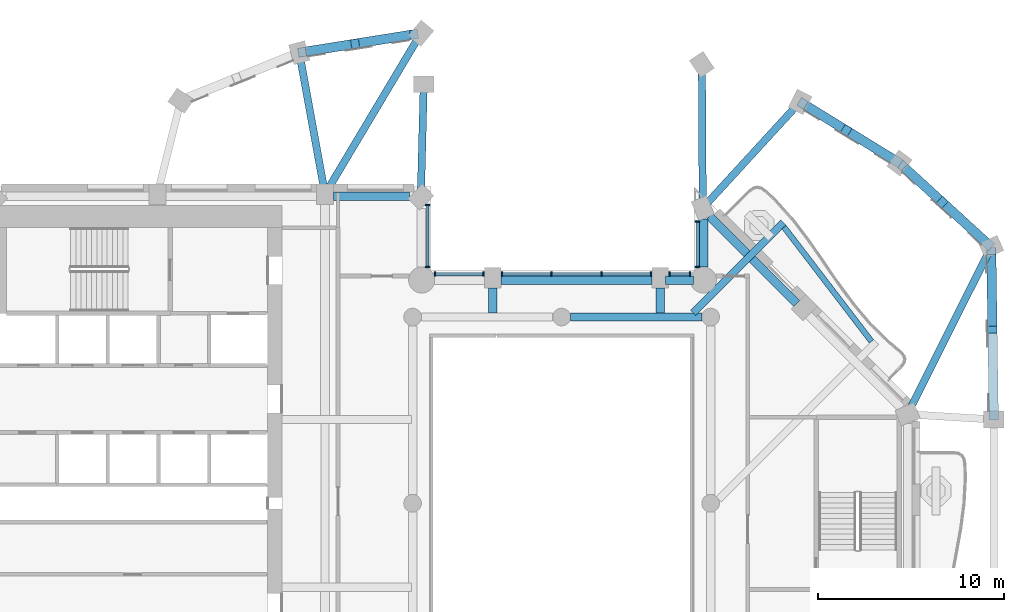
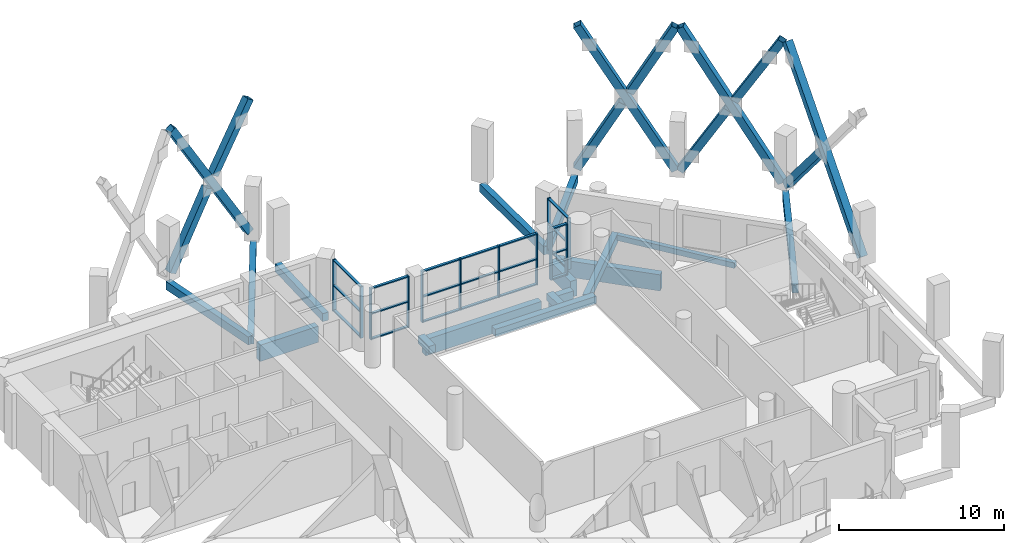
# One storey, part 2 of 16: 44 members, 16 beams, 5 elements without a shape of their own.
"""IFC4 building model written with IfcOpenShell, lengths in metres."""

import ifcopenshell
import ifcopenshell.guid

model = None  # the IFC model being written
_history = None  # IfcOwnerHistory: only IFC2X3 demands one
_inside = {}  # id of a spatial element -> (the spatial element, [elements in it])
_under = {}  # id of a project, library or spatial element -> (it, [spatial elements below it])
_declared = {}  # id of a project -> (the project, [libraries it declares])
_typed = {}  # id of a type object -> (the type object, [elements of that type])
_made_of = {}  # id of a material, layer set ... -> (it, [elements and type objects made of it])


def new_model(schema):
    """Start an empty IFC model of exactly this schema.

    Asked for "IFC4X3", IfcOpenShell would pick the latest addendum, in which some entities
    have other attributes; the version numbers below select the first issue.
    IFC2X3 requires an IfcOwnerHistory on every rooted entity: one is made here for all.
    """
    global model, _history
    if schema == "IFC4X3":
        model = ifcopenshell.file(schema_version=(4, 3, 0, 0))
    else:
        model = ifcopenshell.file(schema=schema)
    _inside.clear()
    _under.clear()
    _declared.clear()
    _typed.clear()
    _made_of.clear()
    _history = None
    if model.schema == "IFC2X3":
        org = make("IfcOrganization", Name="unknown")
        user = make(
            "IfcPersonAndOrganization",
            ThePerson=make("IfcPerson", FamilyName="unknown"),
            TheOrganization=org,
        )
        app = make(
            "IfcApplication",
            ApplicationDeveloper=org,
            Version="unknown",
            ApplicationFullName="unknown",
            ApplicationIdentifier="unknown",
        )
        _history = make(
            "IfcOwnerHistory",
            OwningUser=user,
            OwningApplication=app,
            ChangeAction="ADDED",
            CreationDate=0,
        )
    return model


def make(cls, **values):
    """One entity of the class cls with the attributes given. An attribute that is None is left unset."""
    return model.create_entity(
        cls, **{name: value for name, value in values.items() if value is not None}
    )


def rooted(cls, **values):
    """An entity with a GlobalId (a new one), such as an element, a storey or a relation."""
    return make(cls, GlobalId=ifcopenshell.guid.new(), OwnerHistory=_history, **values)


def si_unit(unit_type, name, prefix=None):
    """IfcSIUnit, for example si_unit("LENGTHUNIT", "METRE", prefix="MILLI")."""
    return make("IfcSIUnit", UnitType=unit_type, Prefix=prefix, Name=name)


def assignment(units):
    """IfcUnitAssignment: the units of a project."""
    return None if units is None else make("IfcUnitAssignment", Units=units)


def point(xyz):
    """IfcCartesianPoint."""
    return None if xyz is None else make("IfcCartesianPoint", Coordinates=xyz)


def direction(xyz):
    """IfcDirection."""
    return None if xyz is None else make("IfcDirection", DirectionRatios=xyz)


def frame(location, z_axis=None, x_axis=None):
    """IfcAxis2Placement3D, a coordinate frame: its origin and axes. An axis left out is left unset."""
    return make(
        "IfcAxis2Placement3D",
        Location=point(location),
        Axis=direction(z_axis),
        RefDirection=direction(x_axis),
    )


def frame_2d(location, x_axis=None):
    """IfcAxis2Placement2D, a coordinate frame in the plane: its origin and x axis."""
    return make(
        "IfcAxis2Placement2D", Location=point(location), RefDirection=direction(x_axis)
    )


def origin():
    """The frame at (0, 0, 0) with its axes left unset."""
    return frame((0.0, 0.0, 0.0))


def origin_2d():
    """The frame at (0, 0) in the plane with its x axis left unset."""
    return frame_2d((0.0, 0.0))


def place(relative_to, where):
    """IfcLocalPlacement: puts the frame where relative to a parent placement (None: the world)."""
    return make(
        "IfcLocalPlacement", PlacementRelTo=relative_to, RelativePlacement=where
    )


def context(
    kind, dimensions, precision=None, world=None, true_north=None, identifier=None
):
    """IfcGeometricRepresentationContext, for example the 3D "Model" context."""
    return make(
        "IfcGeometricRepresentationContext",
        ContextIdentifier=identifier,
        ContextType=kind,
        CoordinateSpaceDimension=dimensions,
        Precision=precision,
        WorldCoordinateSystem=world,
        TrueNorth=true_north,
    )


def subcontext(parent, identifier, kind, view, scale=None):
    """IfcGeometricRepresentationSubContext, for example "Body" below "Model"."""
    return make(
        "IfcGeometricRepresentationSubContext",
        ContextIdentifier=identifier,
        ContextType=kind,
        ParentContext=parent,
        TargetScale=scale,
        TargetView=view,
    )


def project(units=None, contexts=None):
    """IfcProject with its units and contexts."""
    return rooted(
        "IfcProject",
        Name="project",
        RepresentationContexts=contexts,
        UnitsInContext=assignment(units),
    )


def spatial(cls, under=None, at=None, **own):
    """A site, building, storey or space (cls), placed at a placement, below another one or the project."""
    s = rooted(cls, ObjectPlacement=at, **own)
    if under is not None:
        _under.setdefault(under.id(), (under, []))[1].append(s)
    return s


def profile(cls, at=None, kind="AREA", **sizes):
    """A parametric profile (cls). Its sizes go by their IFC names, for example OverallWidth=200.0."""
    return make(cls, ProfileType=kind, Position=at, **sizes)


def rectangle(**sizes):
    """IfcRectangleProfileDef."""
    return profile("IfcRectangleProfileDef", **sizes)


def hollow_rectangle(**sizes):
    """IfcRectangleHollowProfileDef."""
    return profile("IfcRectangleHollowProfileDef", **sizes)


def extrude(swept, where, along, depth):
    """IfcExtrudedAreaSolid: the profile swept, set in the frame where, extruded along a direction by depth."""
    return make(
        "IfcExtrudedAreaSolid",
        SweptArea=swept,
        Position=where,
        ExtrudedDirection=direction(along),
        Depth=depth,
    )


def shape(context_of_items, identifier, shape_type, items):
    """IfcShapeRepresentation: the items that make up one representation, for example the "Body"."""
    return make(
        "IfcShapeRepresentation",
        ContextOfItems=context_of_items,
        RepresentationIdentifier=identifier,
        RepresentationType=shape_type,
        Items=items,
    )


def material(Name=None, Category=None):
    """IfcMaterial."""
    return make("IfcMaterial", Name=Name, Category=Category)


def material_profile(
    of_material, cross_section, Name=None, Category=None, Priority=None
):
    """IfcMaterialProfile: a cross section and its material."""
    return make(
        "IfcMaterialProfile",
        Name=Name,
        Material=of_material,
        Profile=cross_section,
        Priority=Priority,
        Category=Category,
    )


def profile_set(profiles, Name=None, composite=None):
    """IfcMaterialProfileSet."""
    return make(
        "IfcMaterialProfileSet",
        Name=Name,
        MaterialProfiles=profiles,
        CompositeProfile=composite,
    )


def made_of(thing, what):
    """Note that an element or type object is made of a material, layer set ...; save() writes the relation."""
    if what is not None:
        _made_of.setdefault(what.id(), (what, []))[1].append(thing)
    return thing


def type_object(cls, material=None, **own):
    """A type object (cls), such as IfcWallType, which elements share."""
    return made_of(rooted(cls, **own), material)


def element(
    cls,
    number,
    at=None,
    inside=None,
    cuts=None,
    type_object=None,
    material=None,
    context=None,
    identifier="Body",
    shape_type=None,
    held_by="IfcProductDefinitionShape",
    body=None,
    shapes=None,
    **own,
):
    """One element of the class cls, such as IfcWall. Its Tag is "e" and its number.

    at: its placement. inside: the storey or other place that contains it. cuts: it is an
    opening in that element (IfcRelVoidsElement). A single representation is given by context,
    identifier, shape_type and body (its items); several are given by shapes. held_by: the class
    of the entity that holds the representations. save() writes the other relations.
    """
    e = rooted(cls, Tag="e%d" % number, ObjectPlacement=at, **own)
    if body is not None:
        shapes = [shape(context, identifier, shape_type, body)]
    if shapes is not None:
        e.Representation = make(held_by, Representations=shapes)
    if inside is not None:
        _inside.setdefault(inside.id(), (inside, []))[1].append(e)
    if cuts is not None:
        rooted(
            "IfcRelVoidsElement", RelatingBuildingElement=cuts, RelatedOpeningElement=e
        )
    if type_object is not None:
        _typed.setdefault(type_object.id(), (type_object, []))[1].append(e)
    return made_of(e, material)


def aggregate(whole, parts):
    """IfcRelAggregates: a whole, such as a stair, and the parts it consists of."""
    return rooted("IfcRelAggregates", RelatingObject=whole, RelatedObjects=parts)


def save(model, path):
    """Write the relations noted so far, then the file.

    IfcRelAggregates (storeys below a building ...), IfcRelContainedInSpatialStructure (elements
    in a storey), IfcRelDefinesByType, IfcRelAssociatesMaterial and IfcRelDeclares: one each for
    every whole, place, type object, material and project.
    """
    for whole, parts in _under.values():
        aggregate(whole, parts)
    for where, things in _inside.values():
        rooted(
            "IfcRelContainedInSpatialStructure",
            RelatedElements=things,
            RelatingStructure=where,
        )
    for kind, things in _typed.values():
        rooted("IfcRelDefinesByType", RelatedObjects=things, RelatingType=kind)
    for what, things in _made_of.values():
        rooted("IfcRelAssociatesMaterial", RelatedObjects=things, RelatingMaterial=what)
    for by, libraries in _declared.values():
        rooted("IfcRelDeclares", RelatingContext=by, RelatedDefinitions=libraries)
    model.write(path)


model = new_model("IFC4")

# Units and contexts
model_context = context("Model", 3, precision=1e-05, world=origin(), true_north=direction((0.0, 1.0)))
body_context = subcontext(model_context, "Body", "Model", "MODEL_VIEW")
ifc_project = project(units=[si_unit("LENGTHUNIT", "METRE"), si_unit("AREAUNIT", "SQUARE_METRE"), si_unit("VOLUMEUNIT", "CUBIC_METRE"), si_unit("PLANEANGLEUNIT", "RADIAN"), si_unit("MASSUNIT", "GRAM", prefix="KILO")], contexts=[model_context])

# Site, building, storey
site_placement = place(None, origin())
site = spatial("IfcSite", under=ifc_project, at=site_placement, CompositionType="ELEMENT")
building_placement = place(site_placement, origin())
building = spatial("IfcBuilding", under=site, at=building_placement, Name="Cypress Arch Tower", CompositionType="ELEMENT")
storey_placement = place(building_placement, frame((0.0, 0.0, 181.0)))
storey = spatial("IfcBuildingStorey", under=building, at=storey_placement, Name="L39", CompositionType="ELEMENT", Elevation=181.0)

# Beams
ifc_material_1 = material(Name="Concrete C50/60", Category="concrete")
ifc_material_profile_1 = material_profile(ifc_material_1, rectangle(XDim=0.300048828125, YDim=0.39990234375, at=origin_2d()), Name="RC 300x400")
ifc_profile_set_1 = profile_set([ifc_material_profile_1], Name="Concrete C50/60")
beam_type_1 = type_object("IfcBeamType", Name="Balcony edge beam RC 300x400 Concrete C50/60", PredefinedType="BEAM", material=ifc_profile_set_1)
beam_1_placement = place(storey_placement, frame((17.63525390625, 8.69384765625, -0.5), z_axis=(-0.607800647445, 0.794089650459, 0.0), x_axis=(-0.794089650459, -0.607800647445, 0.0)))
element("IfcBeam", 1, at=beam_1_placement, inside=storey, type_object=beam_type_1, Name="Balcony edge beam L39 B05", PredefinedType="BEAM", context=body_context, shape_type="SweptSolid", body=[
    extrude(rectangle(XDim=0.300048828125, YDim=0.39990234375, at=origin_2d()), origin(), (0.0, 0.0, 1.0), 7.728271484375),
])
ifc_material_2 = material(Name="Concrete C50/60", Category="concrete")
ifc_material_profile_2 = material_profile(ifc_material_2, rectangle(XDim=0.39990234375, YDim=0.64990234375, at=origin_2d()), Name="RC 400x650")
ifc_profile_set_2 = profile_set([ifc_material_profile_2], Name="Concrete C50/60")
beam_type_2 = type_object("IfcBeamType", Name="Cantilever beam RC 400x650 Concrete C50/60", PredefinedType="BEAM", material=ifc_profile_set_2)
beam_2_placement = place(storey_placement, frame((8.04931640625, 10.22509765625, -0.625), z_axis=(0.707106781187, 0.707106781187, 0.0), x_axis=(-0.707106781187, 0.707106781187, 0.0)))
element("IfcBeam", 2, at=beam_2_placement, inside=storey, type_object=beam_type_2, Name="Cantilever beam L39 B05 2", PredefinedType="BEAM", context=body_context, shape_type="SweptSolid", body=[
    extrude(rectangle(XDim=0.39990234375, YDim=0.64990234375, at=origin_2d()), origin(), (0.0, 0.0, 1.0), 6.863525390625),
])

# Members
ifc_material_3 = material(Name="Steel ASTM A500 Grade C", Category="steel")
ifc_material_profile_3 = material_profile(ifc_material_3, hollow_rectangle(XDim=0.508056640625, YDim=0.508056640625, WallThickness=0.017578125, at=origin_2d()), Name="HSS 20x20x3/4")
ifc_profile_set_3 = profile_set([ifc_material_profile_3], Name="Steel ASTM A500 Grade C")
member_type_1 = type_object("IfcMemberType", Name="Exoskeleton brace HSS 20x20x3/4 Steel ASTM A500 Grade C", PredefinedType="BRACE", material=ifc_profile_set_3)
member_1_placement = place(storey_placement, frame((-6.93212890625, 25.17529296875, 0.652099609375), z_axis=(-0.505575731303, -0.080729094462, 0.858997085691), x_axis=(0.157680025713, -0.987490257922, 0.0)))
element("IfcMember", 3, at=member_1_placement, inside=storey, type_object=member_type_1, Name="Exoskeleton brace L39 CQ02-CQ03a", PredefinedType="BRACE", context=body_context, shape_type="SweptSolid", body=[
    extrude(hollow_rectangle(XDim=0.508056640625, YDim=0.508056640625, WallThickness=0.017578125, at=origin_2d()), origin(), (0.0, 0.0, 1.0), 11.86083984375),
])
member_2_placement = place(storey_placement, frame((-6.93212890625, 25.17529296875, 10.44775390625), z_axis=(-0.520299010999, -0.083107850994, -0.849930599671), x_axis=(0.157731437326, -0.987482047269, 0.0)))
element("IfcMember", 4, at=member_2_placement, inside=storey, type_object=member_type_1, Name="Exoskeleton brace L39 CQ02-CQ03b1", PredefinedType="BRACE", context=body_context, shape_type="SweptSolid", body=[
    extrude(hollow_rectangle(XDim=0.508056640625, YDim=0.508056640625, WallThickness=0.017578125, at=origin_2d()), origin(), (0.0, 0.0, 1.0), 5.23193359375),
])
member_3_placement = place(storey_placement, frame((-12.9287109375, 24.2177734375, 0.259521484375), z_axis=(0.491532190594, 0.078459347949, 0.867317840431), x_axis=(-0.157626526516, 0.987498799057, 0.0)))
element("IfcMember", 5, at=member_3_placement, inside=storey, type_object=member_type_1, Name="Exoskeleton brace L39 CQ02-CQ03b2", PredefinedType="BRACE", context=body_context, shape_type="SweptSolid", body=[
    extrude(hollow_rectangle(XDim=0.508056640625, YDim=0.508056640625, WallThickness=0.017578125, at=origin_2d()), origin(), (0.0, 0.0, 1.0), 5.781494140625),
])
member_4_placement = place(storey_placement, frame((24.197509765625, 4.675048828125, 0.209716796875), z_axis=(-0.009415341776, 0.640525348392, 0.767879306536), x_axis=(-0.999891981245, -0.014697817606, 0.0)))
element("IfcMember", 6, at=member_4_placement, inside=storey, type_object=member_type_1, Name="Exoskeleton brace L39 CQ14-CQ15a", PredefinedType="BRACE", context=body_context, shape_type="SweptSolid", body=[
    extrude(hollow_rectangle(XDim=0.508056640625, YDim=0.508056640625, WallThickness=0.017578125, at=origin_2d()), origin(), (0.0, 0.0, 1.0), 13.8466796875),
])
member_5_placement = place(storey_placement, frame((24.067138671875, 13.544189453125, 0.2578125), z_axis=(0.009415695854, -0.64223201051, 0.766452470378), x_axis=(0.999892546406, 0.014659319295, 0.0)))
element("IfcMember", 7, at=member_5_placement, inside=storey, type_object=member_type_1, Name="Exoskeleton brace L39 CQ14-CQ15b2", PredefinedType="BRACE", context=body_context, shape_type="SweptSolid", body=[
    extrude(hollow_rectangle(XDim=0.508056640625, YDim=0.508056640625, WallThickness=0.017578125, at=origin_2d()), origin(), (0.0, 0.0, 1.0), 6.5859375),
])
member_6_placement = place(storey_placement, frame((23.921875, 13.88916015625, 0.31982421875), z_axis=(-0.38024185119, 0.348034813706, 0.856906005961), x_axis=(-0.675176044465, -0.737656633523, 0.0)))
element("IfcMember", 8, at=member_6_placement, inside=storey, type_object=member_type_1, Name="Exoskeleton brace L39 CQ15-CQ16a", PredefinedType="BRACE", context=body_context, shape_type="SweptSolid", body=[
    extrude(hollow_rectangle(XDim=0.508056640625, YDim=0.508056640625, WallThickness=0.017578125, at=origin_2d()), origin(), (0.0, 0.0, 1.0), 12.2802734375),
])
member_7_placement = place(storey_placement, frame((23.921875, 13.88916015625, 10.780029296875), z_axis=(-0.381923937811, 0.349569899146, -0.85553199317), x_axis=(-0.675171287783, -0.737660987279, 0.0)))
element("IfcMember", 9, at=member_7_placement, inside=storey, type_object=member_type_1, Name="Exoskeleton brace L39 CQ15-CQ16b1", PredefinedType="BRACE", context=body_context, shape_type="SweptSolid", body=[
    extrude(hollow_rectangle(XDim=0.508056640625, YDim=0.508056640625, WallThickness=0.017578125, at=origin_2d()), origin(), (0.0, 0.0, 1.0), 5.674560546875),
])
member_8_placement = place(storey_placement, frame((19.25244140625, 18.1630859375, 0.257080078125), z_axis=(0.37858469734, -0.346513455633, 0.858255237098), x_axis=(0.67517120176, 0.737661066014, 0.0)))
element("IfcMember", 10, at=member_8_placement, inside=storey, type_object=member_type_1, Name="Exoskeleton brace L39 CQ15-CQ16b2", PredefinedType="BRACE", context=body_context, shape_type="SweptSolid", body=[
    extrude(hollow_rectangle(XDim=0.508056640625, YDim=0.508056640625, WallThickness=0.017578125, at=origin_2d()), origin(), (0.0, 0.0, 1.0), 5.7626953125),
])
member_9_placement = place(storey_placement, frame((19.010009765625, 18.346435546875, 0.266845703125), z_axis=(-0.418602629322, 0.257463858202, 0.870909984122), x_axis=(-0.523894090473, -0.851783412592, 0.0)))
element("IfcMember", 11, at=member_9_placement, inside=storey, type_object=member_type_1, Name="Exoskeleton brace L39 CQ16-CQ17a", PredefinedType="BRACE", context=body_context, shape_type="SweptSolid", body=[
    extrude(hollow_rectangle(XDim=0.508056640625, YDim=0.508056640625, WallThickness=0.017578125, at=origin_2d()), origin(), (0.0, 0.0, 1.0), 12.1328125),
])
member_10_placement = place(storey_placement, frame((19.010009765625, 18.346435546875, 10.833251953125), z_axis=(-0.418588062756, 0.257499032582, -0.870906586229), x_axis=(-0.523959244261, -0.851743335961, 0.0)))
element("IfcMember", 12, at=member_10_placement, inside=storey, type_object=member_type_1, Name="Exoskeleton brace L39 CQ16-CQ17b1", PredefinedType="BRACE", context=body_context, shape_type="SweptSolid", body=[
    extrude(hollow_rectangle(XDim=0.508056640625, YDim=0.508056640625, WallThickness=0.017578125, at=origin_2d()), origin(), (0.0, 0.0, 1.0), 5.61669921875),
])
member_11_placement = place(storey_placement, frame((13.93115234375, 21.47021484375, 0.2666015625), z_axis=(0.418612751014, -0.257444016639, 0.870910984536), x_axis=(0.523855606168, 0.851807081378, 0.0)))
element("IfcMember", 13, at=member_11_placement, inside=storey, type_object=member_type_1, Name="Exoskeleton brace L39 CQ16-CQ17b2", PredefinedType="BRACE", context=body_context, shape_type="SweptSolid", body=[
    extrude(hollow_rectangle(XDim=0.508056640625, YDim=0.508056640625, WallThickness=0.017578125, at=origin_2d()), origin(), (0.0, 0.0, 1.0), 5.616943359375),
])

# Beams
ifc_material_4 = material(Name="Concrete C50/60", Category="concrete")
ifc_material_profile_4 = material_profile(ifc_material_4, rectangle(XDim=0.449951171875, YDim=0.550048828125, at=origin_2d()), Name="RC 450x550")
ifc_profile_set_4 = profile_set([ifc_material_profile_4], Name="Concrete C50/60")
beam_type_3 = type_object("IfcBeamType", Name="Floor beam RC 450x550 Concrete C50/60", PredefinedType="BEAM", material=ifc_profile_set_4)
beam_3_placement = place(storey_placement, frame((1.47509765625, 10.0, -0.574951171875), z_axis=(1.0, 0.0, 0.0), x_axis=(0.0, 1.0, 0.0)))
element("IfcBeam", 14, at=beam_3_placement, inside=storey, type_object=beam_type_3, Name="Floor beam L39 RB008", PredefinedType="BEAM", context=body_context, shape_type="SweptSolid", body=[
    extrude(rectangle(XDim=0.449951171875, YDim=0.550048828125, at=origin_2d()), origin(), (0.0, 0.0, 1.0), 7.0498046875),
])
for number, where, z_axis, x_axis, name in (
    (15, (-2.699951171875, 10.22509765625, -0.574951171875), (0.0, 1.0, 0.0), (-1.0, 0.0, 0.0), "Floor beam L39 FB015"),
    (16, (6.300048828125, 10.22509765625, -0.574951171875), (0.0, 1.0, 0.0), (-1.0, 0.0, 0.0), "Floor beam L39 FB017"),
):
    element("IfcBeam", number, at=place(storey_placement, frame(where, z_axis=z_axis, x_axis=x_axis)), inside=storey, type_object=beam_type_3, Name=name, PredefinedType="BEAM", context=body_context, shape_type="SweptSolid", body=[
        extrude(rectangle(XDim=0.449951171875, YDim=0.550048828125, at=origin_2d()), origin(), (0.0, 0.0, 1.0), 1.324951171875),
    ])

# Curtain wall, members
ifc_material_5 = material(Name="Anodised aluminium, bronze finish, clear laminated double glazing", Category="aluminium")
curtain_wall_type = type_object("IfcCurtainWallType", Name="Curtain wall CW7 slot glazing", PredefinedType="NOTDEFINED", material=ifc_material_5)
curtain_wall_1_placement = place(storey_placement, origin())
curtain_wall_1 = element("IfcCurtainWall", 17, at=curtain_wall_1_placement, inside=storey, type_object=curtain_wall_type, Name="Curtain wall L39 slot B06.0", PredefinedType="NOTDEFINED")
ifc_material_6 = material(Name="Anodised aluminium, bronze finish", Category="aluminium")
ifc_material_profile_5 = material_profile(ifc_material_6, rectangle(XDim=0.239990234375, YDim=0.0849609375, at=origin_2d()), Name="Mullion 85x240")
ifc_profile_set_5 = profile_set([ifc_material_profile_5], Name="Anodised aluminium, bronze finish")
member_type_2 = type_object("IfcMemberType", Name="Mullion CW7 85x240", PredefinedType="MULLION", material=ifc_profile_set_5)
member_12_placement = place(storey_placement, frame((8.300048828125, 15.12744140625, 0.0), z_axis=(0.0, 0.0, 1.0), x_axis=(1.0, 0.0, 0.0)))
member_12 = element("IfcMember", 18, at=member_12_placement, type_object=member_type_2, Name="CW7 mullion 1", PredefinedType="MULLION", context=body_context, shape_type="SweptSolid", body=[
    extrude(rectangle(XDim=0.239990234375, YDim=0.0849609375, at=origin_2d()), origin(), (0.0, 0.0, 1.0), 3.800048828125),
])
member_13_placement = place(storey_placement, frame((8.300048828125, 12.697021484375, 0.0), z_axis=(0.0, 0.0, 1.0), x_axis=(1.0, 0.0, 0.0)))
member_13 = element("IfcMember", 19, at=member_13_placement, type_object=member_type_2, Name="CW7 mullion 2", PredefinedType="MULLION", context=body_context, shape_type="SweptSolid", body=[
    extrude(rectangle(XDim=0.239990234375, YDim=0.0849609375, at=origin_2d()), origin(), (0.0, 0.0, 1.0), 3.800048828125),
])

curtain_wall_2_placement = place(storey_placement, origin())
curtain_wall_2 = element("IfcCurtainWall", 20, at=curtain_wall_2_placement, inside=storey, type_object=curtain_wall_type, Name="Curtain wall L39 slot B07.0", PredefinedType="NOTDEFINED")
member_14_placement = place(storey_placement, frame((7.903076171875, 12.300048828125, 0.0), z_axis=(0.0, 0.0, 1.0), x_axis=(0.0, -1.0, 0.0)))
member_14 = element("IfcMember", 21, at=member_14_placement, type_object=member_type_2, Name="CW7 mullion 1", PredefinedType="MULLION", context=body_context, shape_type="SweptSolid", body=[
    extrude(rectangle(XDim=0.239990234375, YDim=0.0849609375, at=origin_2d()), origin(), (0.0, 0.0, 1.0), 3.800048828125),
])
member_15_placement = place(storey_placement, frame((6.79248046875, 12.300048828125, 0.0), z_axis=(0.0, 0.0, 1.0), x_axis=(0.0, -1.0, 0.0)))
member_15 = element("IfcMember", 22, at=member_15_placement, type_object=member_type_2, Name="CW7 mullion 2", PredefinedType="MULLION", context=body_context, shape_type="SweptSolid", body=[
    extrude(rectangle(XDim=0.239990234375, YDim=0.0849609375, at=origin_2d()), origin(), (0.0, 0.0, 1.0), 3.800048828125),
])

curtain_wall_3_placement = place(storey_placement, origin())
curtain_wall_3 = element("IfcCurtainWall", 23, at=curtain_wall_3_placement, inside=storey, type_object=curtain_wall_type, Name="Curtain wall L39 slot B07.1", PredefinedType="NOTDEFINED")
member_16_placement = place(storey_placement, frame((5.8076171875, 12.300048828125, 0.0), z_axis=(0.0, 0.0, 1.0), x_axis=(0.0, -1.0, 0.0)))
member_16 = element("IfcMember", 24, at=member_16_placement, type_object=member_type_2, Name="CW7 mullion 1", PredefinedType="MULLION", context=body_context, shape_type="SweptSolid", body=[
    extrude(rectangle(XDim=0.239990234375, YDim=0.0849609375, at=origin_2d()), origin(), (0.0, 0.0, 1.0), 3.800048828125),
])
member_17_placement = place(storey_placement, frame((3.14990234375, 12.300048828125, 0.0), z_axis=(0.0, 0.0, 1.0), x_axis=(0.0, -1.0, 0.0)))
member_17 = element("IfcMember", 25, at=member_17_placement, type_object=member_type_2, Name="CW7 mullion 2", PredefinedType="MULLION", context=body_context, shape_type="SweptSolid", body=[
    extrude(rectangle(XDim=0.239990234375, YDim=0.0849609375, at=origin_2d()), origin(), (0.0, 0.0, 1.0), 3.800048828125),
])
member_18_placement = place(storey_placement, frame((0.449951171875, 12.300048828125, 0.0), z_axis=(0.0, 0.0, 1.0), x_axis=(0.0, -1.0, 0.0)))
member_18 = element("IfcMember", 26, at=member_18_placement, type_object=member_type_2, Name="CW7 mullion 3", PredefinedType="MULLION", context=body_context, shape_type="SweptSolid", body=[
    extrude(rectangle(XDim=0.239990234375, YDim=0.0849609375, at=origin_2d()), origin(), (0.0, 0.0, 1.0), 3.800048828125),
])
member_19_placement = place(storey_placement, frame((-2.20751953125, 12.300048828125, 0.0), z_axis=(0.0, 0.0, 1.0), x_axis=(0.0, -1.0, 0.0)))
member_19 = element("IfcMember", 27, at=member_19_placement, type_object=member_type_2, Name="CW7 mullion 4", PredefinedType="MULLION", context=body_context, shape_type="SweptSolid", body=[
    extrude(rectangle(XDim=0.239990234375, YDim=0.0849609375, at=origin_2d()), origin(), (0.0, 0.0, 1.0), 3.800048828125),
])

curtain_wall_4_placement = place(storey_placement, origin())
curtain_wall_4 = element("IfcCurtainWall", 28, at=curtain_wall_4_placement, inside=storey, type_object=curtain_wall_type, Name="Curtain wall L39 slot B07.2", PredefinedType="NOTDEFINED")
member_20_placement = place(storey_placement, frame((-3.1923828125, 12.300048828125, 0.0), z_axis=(0.0, 0.0, 1.0), x_axis=(0.0, -1.0, 0.0)))
member_20 = element("IfcMember", 29, at=member_20_placement, type_object=member_type_2, Name="CW7 mullion 1", PredefinedType="MULLION", context=body_context, shape_type="SweptSolid", body=[
    extrude(rectangle(XDim=0.239990234375, YDim=0.0849609375, at=origin_2d()), origin(), (0.0, 0.0, 1.0), 3.800048828125),
])
member_21_placement = place(storey_placement, frame((-5.802978515625, 12.300048828125, 0.0), z_axis=(0.0, 0.0, 1.0), x_axis=(0.0, -1.0, 0.0)))
member_21 = element("IfcMember", 30, at=member_21_placement, type_object=member_type_2, Name="CW7 mullion 2", PredefinedType="MULLION", context=body_context, shape_type="SweptSolid", body=[
    extrude(rectangle(XDim=0.239990234375, YDim=0.0849609375, at=origin_2d()), origin(), (0.0, 0.0, 1.0), 3.800048828125),
])

curtain_wall_5_placement = place(storey_placement, origin())
curtain_wall_5 = element("IfcCurtainWall", 31, at=curtain_wall_5_placement, inside=storey, type_object=curtain_wall_type, Name="Curtain wall L39 slot B08.0", PredefinedType="NOTDEFINED")
member_22_placement = place(storey_placement, frame((-6.199951171875, 12.697021484375, 0.0), z_axis=(0.0, 0.0, 1.0), x_axis=(-1.0, 0.0, 0.0)))
member_22 = element("IfcMember", 32, at=member_22_placement, type_object=member_type_2, Name="CW7 mullion 1", PredefinedType="MULLION", context=body_context, shape_type="SweptSolid", body=[
    extrude(rectangle(XDim=0.239990234375, YDim=0.0849609375, at=origin_2d()), origin(), (0.0, 0.0, 1.0), 3.800048828125),
])
member_23_placement = place(storey_placement, frame((-6.199951171875, 16.02099609375, 0.0), z_axis=(0.0, 0.0, 1.0), x_axis=(-1.0, 0.0, 0.0)))
member_23 = element("IfcMember", 33, at=member_23_placement, type_object=member_type_2, Name="CW7 mullion 2", PredefinedType="MULLION", context=body_context, shape_type="SweptSolid", body=[
    extrude(rectangle(XDim=0.239990234375, YDim=0.0849609375, at=origin_2d()), origin(), (0.0, 0.0, 1.0), 3.800048828125),
])

# Beams
ifc_material_7 = material(Name="Concrete C50/60", Category="concrete")
ifc_material_profile_6 = material_profile(ifc_material_7, rectangle(XDim=0.39990234375, YDim=0.60009765625, at=origin_2d()), Name="RC 400x600")
ifc_profile_set_6 = profile_set([ifc_material_profile_6], Name="Concrete C50/60")
beam_type_4 = type_object("IfcBeamType", Name="Pilotis tie beam RC 400x600 Concrete C50/60", PredefinedType="BEAM", material=ifc_profile_set_6)
beam_4_placement = place(storey_placement, frame((8.53076171875, 23.564697265625, -0.60009765625), z_axis=(0.005886346529, -0.999982675312, 0.0), x_axis=(0.999982675312, 0.005886346529, 0.0)))
element("IfcBeam", 34, at=beam_4_placement, inside=storey, type_object=beam_type_4, Name="Pilotis tie beam L39 CQ00-CB12", PredefinedType="BEAM", context=body_context, shape_type="SweptSolid", body=[
    extrude(rectangle(XDim=0.39990234375, YDim=0.60009765625, at=origin_2d()), origin(), (0.0, 0.0, 1.0), 7.714599609375),
])
beam_5_placement = place(storey_placement, frame((-6.39990234375, 22.5, -0.60009765625), z_axis=(-0.02594853496, -0.999663280077, 0.0), x_axis=(0.999663280077, -0.02594853496, 0.0)))
element("IfcBeam", 35, at=beam_5_placement, inside=storey, type_object=beam_type_4, Name="Pilotis tie beam L39 CQ01-CB17", PredefinedType="BEAM", context=body_context, shape_type="SweptSolid", body=[
    extrude(rectangle(XDim=0.39990234375, YDim=0.60009765625, at=origin_2d()), origin(), (0.0, 0.0, 1.0), 6.05908203125),
])
beam_6_placement = place(storey_placement, frame((-6.54833984375, 25.236572265625, -0.60009765625), z_axis=(-0.51228050024, -0.85881819326, 0.0), x_axis=(0.85881819326, -0.51228050024, 0.0)))
element("IfcBeam", 36, at=beam_6_placement, inside=storey, type_object=beam_type_4, Name="Pilotis tie beam L39 CQ02-CB18", PredefinedType="BEAM", context=body_context, shape_type="SweptSolid", body=[
    extrude(rectangle(XDim=0.39990234375, YDim=0.60009765625, at=origin_2d()), origin(), (0.0, 0.0, 1.0), 10.05615234375),
])
beam_7_placement = place(storey_placement, frame((-13.081298828125, 24.193359375, -0.60009765625), z_axis=(0.178980083609, -0.983852697141, 0.0), x_axis=(0.983852697141, 0.178980083609, 0.0)))
element("IfcBeam", 37, at=beam_7_placement, inside=storey, type_object=beam_type_4, Name="Pilotis tie beam L39 CQ03-CB18", PredefinedType="BEAM", context=body_context, shape_type="SweptSolid", body=[
    extrude(rectangle(XDim=0.39990234375, YDim=0.60009765625, at=origin_2d()), origin(), (0.0, 0.0, 1.0), 7.7177734375),
])
beam_8_placement = place(storey_placement, frame((24.06396484375, 13.75927734375, -0.60009765625), z_axis=(-0.447602582549, -0.894232591721, 0.0), x_axis=(0.894232591721, -0.447602582549, 0.0)))
element("IfcBeam", 38, at=beam_8_placement, inside=storey, type_object=beam_type_4, Name="Pilotis tie beam L39 CQ15-CB10", PredefinedType="BEAM", context=body_context, shape_type="SweptSolid", body=[
    extrude(rectangle(XDim=0.39990234375, YDim=0.60009765625, at=origin_2d()), origin(), (0.0, 0.0, 1.0), 10.041015625),
])
beam_9_placement = place(storey_placement, frame((13.80322265625, 21.549072265625, -0.60009765625), z_axis=(-0.675950483499, -0.736947042776, 0.0), x_axis=(0.736947042776, -0.675950483499, 0.0)))
element("IfcBeam", 39, at=beam_9_placement, inside=storey, type_object=beam_type_4, Name="Pilotis tie beam L39 CQ17-CB12", PredefinedType="BEAM", context=body_context, shape_type="SweptSolid", body=[
    extrude(rectangle(XDim=0.39990234375, YDim=0.60009765625, at=origin_2d()), origin(), (0.0, 0.0, 1.0), 7.73291015625),
])
ifc_material_8 = material(Name="Concrete C50/60", Category="concrete")
ifc_material_profile_7 = material_profile(ifc_material_8, rectangle(XDim=0.449951171875, YDim=1.199951171875, at=origin_2d()), Name="RC 450x1200")
ifc_profile_set_7 = profile_set([ifc_material_profile_7], Name="Concrete C50/60")
beam_type_5 = type_object("IfcBeamType", Name="Spandrel beam RC 450x1200 Concrete C50/60", PredefinedType="SPANDREL", material=ifc_profile_set_7)
beam_10_placement = place(storey_placement, frame((13.622802734375, 10.73486328125, -1.550048828125), z_axis=(-0.707106781187, 0.707106781187, 0.0), x_axis=(-0.707106781187, -0.707106781187, 0.0)))
element("IfcBeam", 40, at=beam_10_placement, inside=storey, type_object=beam_type_5, Name="Spandrel beam L39 BB05-1", PredefinedType="SPANDREL", context=body_context, shape_type="SweptSolid", body=[
    extrude(rectangle(XDim=0.449951171875, YDim=1.199951171875, at=origin_2d()), origin(), (0.0, 0.0, 1.0), 6.610595703125),
])
beam_11_placement = place(storey_placement, frame((8.625, 15.275146484375, -1.550048828125), z_axis=(0.0, -1.0, 0.0), x_axis=(1.0, 0.0, 0.0)))
element("IfcBeam", 41, at=beam_11_placement, inside=storey, type_object=beam_type_5, Name="Spandrel beam L39 BB06-0", PredefinedType="SPANDREL", context=body_context, shape_type="SweptSolid", body=[
    extrude(rectangle(XDim=0.449951171875, YDim=1.199951171875, at=origin_2d()), origin(), (0.0, 0.0, 1.0), 2.587646484375),
])
beam_12_placement = place(storey_placement, frame((8.081298828125, 11.97509765625, -1.550048828125), z_axis=(-1.0, 0.0, 0.0), x_axis=(0.0, -1.0, 0.0)))
element("IfcBeam", 42, at=beam_12_placement, inside=storey, type_object=beam_type_5, Name="Spandrel beam L39 BB07-0", PredefinedType="SPANDREL", context=body_context, shape_type="SweptSolid", body=[
    extrude(rectangle(XDim=0.449951171875, YDim=1.199951171875, at=origin_2d()), origin(), (0.0, 0.0, 1.0), 1.5),
])
beam_13_placement = place(storey_placement, frame((5.85009765625, 11.97509765625, -1.550048828125), z_axis=(-1.0, 0.0, 0.0), x_axis=(0.0, -1.0, 0.0)))
element("IfcBeam", 43, at=beam_13_placement, inside=storey, type_object=beam_type_5, Name="Spandrel beam L39 BB07-1", PredefinedType="SPANDREL", context=body_context, shape_type="SweptSolid", body=[
    extrude(rectangle(XDim=0.449951171875, YDim=1.199951171875, at=origin_2d()), origin(), (0.0, 0.0, 1.0), 8.10009765625),
])
beam_14_placement = place(storey_placement, frame((-7.161376953125, 16.47509765625, -1.550048828125), z_axis=(-1.0, 0.0, 0.0), x_axis=(0.0, -1.0, 0.0)))
element("IfcBeam", 44, at=beam_14_placement, inside=storey, type_object=beam_type_5, Name="Spandrel beam L39 BB09-0", PredefinedType="SPANDREL", context=body_context, shape_type="SweptSolid", body=[
    extrude(rectangle(XDim=0.449951171875, YDim=1.199951171875, at=origin_2d()), origin(), (0.0, 0.0, 1.0), 4.088623046875),
])

# Member
ifc_material_9 = material(Name="Anodised aluminium, bronze finish", Category="aluminium")
ifc_material_profile_8 = material_profile(ifc_material_9, rectangle(XDim=0.179931640625, YDim=0.0849609375, at=origin_2d()), Name="Transom 85x180")
ifc_profile_set_8 = profile_set([ifc_material_profile_8], Name="Anodised aluminium, bronze finish")
member_type_3 = type_object("IfcMemberType", Name="Transom CW7 85x180", PredefinedType="USERDEFINED", material=ifc_profile_set_8)
member_24_placement = place(storey_placement, frame((8.300048828125, 15.0849609375, 0.04248046875), z_axis=(0.0, -1.0, 0.0), x_axis=(1.0, 0.0, 0.0)))
member_24 = element("IfcMember", 45, at=member_24_placement, type_object=member_type_3, Name="CW7 transom 1.1", ObjectType="TRANSOM", PredefinedType="USERDEFINED", context=body_context, shape_type="SweptSolid", body=[
    extrude(rectangle(XDim=0.179931640625, YDim=0.0849609375, at=origin_2d()), origin(), (0.0, 0.0, 1.0), 2.345458984375),
])

member_25_placement = place(storey_placement, frame((8.300048828125, 15.0849609375, 1.89990234375), z_axis=(0.0, -1.0, 0.0), x_axis=(1.0, 0.0, 0.0)))
member_25 = element("IfcMember", 46, at=member_25_placement, type_object=member_type_3, Name="CW7 transom 1.2", ObjectType="TRANSOM", PredefinedType="USERDEFINED", context=body_context, shape_type="SweptSolid", body=[
    extrude(rectangle(XDim=0.179931640625, YDim=0.0849609375, at=origin_2d()), origin(), (0.0, 0.0, 1.0), 2.345458984375),
])

member_26_placement = place(storey_placement, frame((8.300048828125, 15.0849609375, 3.757568359375), z_axis=(0.0, -1.0, 0.0), x_axis=(1.0, 0.0, 0.0)))
member_26 = element("IfcMember", 47, at=member_26_placement, type_object=member_type_3, Name="CW7 transom 1.3", ObjectType="TRANSOM", PredefinedType="USERDEFINED", context=body_context, shape_type="SweptSolid", body=[
    extrude(rectangle(XDim=0.179931640625, YDim=0.0849609375, at=origin_2d()), origin(), (0.0, 0.0, 1.0), 2.345458984375),
])

aggregate(curtain_wall_1, [member_12, member_13, member_24, member_25, member_26])

member_27_placement = place(storey_placement, frame((7.8603515625, 12.300048828125, 0.04248046875), z_axis=(-1.0, 0.0, 0.0), x_axis=(0.0, -1.0, 0.0)))
member_27 = element("IfcMember", 48, at=member_27_placement, type_object=member_type_3, Name="CW7 transom 1.1", ObjectType="TRANSOM", PredefinedType="USERDEFINED", context=body_context, shape_type="SweptSolid", body=[
    extrude(rectangle(XDim=0.179931640625, YDim=0.0849609375, at=origin_2d()), origin(), (0.0, 0.0, 1.0), 1.025390625),
])

member_28_placement = place(storey_placement, frame((7.8603515625, 12.300048828125, 1.89990234375), z_axis=(-1.0, 0.0, 0.0), x_axis=(0.0, -1.0, 0.0)))
member_28 = element("IfcMember", 49, at=member_28_placement, type_object=member_type_3, Name="CW7 transom 1.2", ObjectType="TRANSOM", PredefinedType="USERDEFINED", context=body_context, shape_type="SweptSolid", body=[
    extrude(rectangle(XDim=0.179931640625, YDim=0.0849609375, at=origin_2d()), origin(), (0.0, 0.0, 1.0), 1.025390625),
])

member_29_placement = place(storey_placement, frame((7.8603515625, 12.300048828125, 3.757568359375), z_axis=(-1.0, 0.0, 0.0), x_axis=(0.0, -1.0, 0.0)))
member_29 = element("IfcMember", 50, at=member_29_placement, type_object=member_type_3, Name="CW7 transom 1.3", ObjectType="TRANSOM", PredefinedType="USERDEFINED", context=body_context, shape_type="SweptSolid", body=[
    extrude(rectangle(XDim=0.179931640625, YDim=0.0849609375, at=origin_2d()), origin(), (0.0, 0.0, 1.0), 1.025390625),
])

aggregate(curtain_wall_2, [member_14, member_15, member_27, member_28, member_29])

member_30_placement = place(storey_placement, frame((5.764892578125, 12.300048828125, 0.04248046875), z_axis=(-1.0, 0.0, 0.0), x_axis=(0.0, -1.0, 0.0)))
member_30 = element("IfcMember", 51, at=member_30_placement, type_object=member_type_3, Name="CW7 transom 1.1", ObjectType="TRANSOM", PredefinedType="USERDEFINED", context=body_context, shape_type="SweptSolid", body=[
    extrude(rectangle(XDim=0.179931640625, YDim=0.0849609375, at=origin_2d()), origin(), (0.0, 0.0, 1.0), 2.572509765625),
])

member_31_placement = place(storey_placement, frame((5.764892578125, 12.300048828125, 1.89990234375), z_axis=(-1.0, 0.0, 0.0), x_axis=(0.0, -1.0, 0.0)))
member_31 = element("IfcMember", 52, at=member_31_placement, type_object=member_type_3, Name="CW7 transom 1.2", ObjectType="TRANSOM", PredefinedType="USERDEFINED", context=body_context, shape_type="SweptSolid", body=[
    extrude(rectangle(XDim=0.179931640625, YDim=0.0849609375, at=origin_2d()), origin(), (0.0, 0.0, 1.0), 2.572509765625),
])

member_32_placement = place(storey_placement, frame((5.764892578125, 12.300048828125, 3.757568359375), z_axis=(-1.0, 0.0, 0.0), x_axis=(0.0, -1.0, 0.0)))
member_32 = element("IfcMember", 53, at=member_32_placement, type_object=member_type_3, Name="CW7 transom 1.3", ObjectType="TRANSOM", PredefinedType="USERDEFINED", context=body_context, shape_type="SweptSolid", body=[
    extrude(rectangle(XDim=0.179931640625, YDim=0.0849609375, at=origin_2d()), origin(), (0.0, 0.0, 1.0), 2.572509765625),
])

member_33_placement = place(storey_placement, frame((3.107421875, 12.300048828125, 0.04248046875), z_axis=(-1.0, 0.0, 0.0), x_axis=(0.0, -1.0, 0.0)))
member_33 = element("IfcMember", 54, at=member_33_placement, type_object=member_type_3, Name="CW7 transom 2.1", ObjectType="TRANSOM", PredefinedType="USERDEFINED", context=body_context, shape_type="SweptSolid", body=[
    extrude(rectangle(XDim=0.179931640625, YDim=0.0849609375, at=origin_2d()), origin(), (0.0, 0.0, 1.0), 2.614990234375),
])

member_34_placement = place(storey_placement, frame((3.107421875, 12.300048828125, 1.89990234375), z_axis=(-1.0, 0.0, 0.0), x_axis=(0.0, -1.0, 0.0)))
member_34 = element("IfcMember", 55, at=member_34_placement, type_object=member_type_3, Name="CW7 transom 2.2", ObjectType="TRANSOM", PredefinedType="USERDEFINED", context=body_context, shape_type="SweptSolid", body=[
    extrude(rectangle(XDim=0.179931640625, YDim=0.0849609375, at=origin_2d()), origin(), (0.0, 0.0, 1.0), 2.614990234375),
])

member_35_placement = place(storey_placement, frame((3.107421875, 12.300048828125, 3.757568359375), z_axis=(-1.0, 0.0, 0.0), x_axis=(0.0, -1.0, 0.0)))
member_35 = element("IfcMember", 56, at=member_35_placement, type_object=member_type_3, Name="CW7 transom 2.3", ObjectType="TRANSOM", PredefinedType="USERDEFINED", context=body_context, shape_type="SweptSolid", body=[
    extrude(rectangle(XDim=0.179931640625, YDim=0.0849609375, at=origin_2d()), origin(), (0.0, 0.0, 1.0), 2.614990234375),
])

member_36_placement = place(storey_placement, frame((0.407470703125, 12.300048828125, 0.04248046875), z_axis=(-1.0, 0.0, 0.0), x_axis=(0.0, -1.0, 0.0)))
member_36 = element("IfcMember", 57, at=member_36_placement, type_object=member_type_3, Name="CW7 transom 3.1", ObjectType="TRANSOM", PredefinedType="USERDEFINED", context=body_context, shape_type="SweptSolid", body=[
    extrude(rectangle(XDim=0.179931640625, YDim=0.0849609375, at=origin_2d()), origin(), (0.0, 0.0, 1.0), 2.572509765625),
])

member_37_placement = place(storey_placement, frame((0.407470703125, 12.300048828125, 1.89990234375), z_axis=(-1.0, 0.0, 0.0), x_axis=(0.0, -1.0, 0.0)))
member_37 = element("IfcMember", 58, at=member_37_placement, type_object=member_type_3, Name="CW7 transom 3.2", ObjectType="TRANSOM", PredefinedType="USERDEFINED", context=body_context, shape_type="SweptSolid", body=[
    extrude(rectangle(XDim=0.179931640625, YDim=0.0849609375, at=origin_2d()), origin(), (0.0, 0.0, 1.0), 2.572509765625),
])

member_38_placement = place(storey_placement, frame((0.407470703125, 12.300048828125, 3.757568359375), z_axis=(-1.0, 0.0, 0.0), x_axis=(0.0, -1.0, 0.0)))
member_38 = element("IfcMember", 59, at=member_38_placement, type_object=member_type_3, Name="CW7 transom 3.3", ObjectType="TRANSOM", PredefinedType="USERDEFINED", context=body_context, shape_type="SweptSolid", body=[
    extrude(rectangle(XDim=0.179931640625, YDim=0.0849609375, at=origin_2d()), origin(), (0.0, 0.0, 1.0), 2.572509765625),
])

aggregate(curtain_wall_3, [member_16, member_17, member_18, member_19, member_30, member_31, member_32, member_33, member_34, member_35, member_36, member_37, member_38])

member_39_placement = place(storey_placement, frame((-3.235107421875, 12.300048828125, 0.04248046875), z_axis=(-1.0, 0.0, 0.0), x_axis=(0.0, -1.0, 0.0)))
member_39 = element("IfcMember", 60, at=member_39_placement, type_object=member_type_3, Name="CW7 transom 1.1", ObjectType="TRANSOM", PredefinedType="USERDEFINED", context=body_context, shape_type="SweptSolid", body=[
    extrude(rectangle(XDim=0.179931640625, YDim=0.0849609375, at=origin_2d()), origin(), (0.0, 0.0, 1.0), 2.525390625),
])

member_40_placement = place(storey_placement, frame((-3.235107421875, 12.300048828125, 1.89990234375), z_axis=(-1.0, 0.0, 0.0), x_axis=(0.0, -1.0, 0.0)))
member_40 = element("IfcMember", 61, at=member_40_placement, type_object=member_type_3, Name="CW7 transom 1.2", ObjectType="TRANSOM", PredefinedType="USERDEFINED", context=body_context, shape_type="SweptSolid", body=[
    extrude(rectangle(XDim=0.179931640625, YDim=0.0849609375, at=origin_2d()), origin(), (0.0, 0.0, 1.0), 2.525390625),
])

member_41_placement = place(storey_placement, frame((-3.235107421875, 12.300048828125, 3.757568359375), z_axis=(-1.0, 0.0, 0.0), x_axis=(0.0, -1.0, 0.0)))
member_41 = element("IfcMember", 62, at=member_41_placement, type_object=member_type_3, Name="CW7 transom 1.3", ObjectType="TRANSOM", PredefinedType="USERDEFINED", context=body_context, shape_type="SweptSolid", body=[
    extrude(rectangle(XDim=0.179931640625, YDim=0.0849609375, at=origin_2d()), origin(), (0.0, 0.0, 1.0), 2.525390625),
])

aggregate(curtain_wall_4, [member_20, member_21, member_39, member_40, member_41])

member_42_placement = place(storey_placement, frame((-6.199951171875, 12.739501953125, 0.04248046875), z_axis=(0.0, 1.0, 0.0), x_axis=(-1.0, 0.0, 0.0)))
member_42 = element("IfcMember", 63, at=member_42_placement, type_object=member_type_3, Name="CW7 transom 1.1", ObjectType="TRANSOM", PredefinedType="USERDEFINED", context=body_context, shape_type="SweptSolid", body=[
    extrude(rectangle(XDim=0.179931640625, YDim=0.0849609375, at=origin_2d()), origin(), (0.0, 0.0, 1.0), 3.239013671875),
])

member_43_placement = place(storey_placement, frame((-6.199951171875, 12.739501953125, 1.89990234375), z_axis=(0.0, 1.0, 0.0), x_axis=(-1.0, 0.0, 0.0)))
member_43 = element("IfcMember", 64, at=member_43_placement, type_object=member_type_3, Name="CW7 transom 1.2", ObjectType="TRANSOM", PredefinedType="USERDEFINED", context=body_context, shape_type="SweptSolid", body=[
    extrude(rectangle(XDim=0.179931640625, YDim=0.0849609375, at=origin_2d()), origin(), (0.0, 0.0, 1.0), 3.239013671875),
])

member_44_placement = place(storey_placement, frame((-6.199951171875, 12.739501953125, 3.757568359375), z_axis=(0.0, 1.0, 0.0), x_axis=(-1.0, 0.0, 0.0)))
member_44 = element("IfcMember", 65, at=member_44_placement, type_object=member_type_3, Name="CW7 transom 1.3", ObjectType="TRANSOM", PredefinedType="USERDEFINED", context=body_context, shape_type="SweptSolid", body=[
    extrude(rectangle(XDim=0.179931640625, YDim=0.0849609375, at=origin_2d()), origin(), (0.0, 0.0, 1.0), 3.239013671875),
])

aggregate(curtain_wall_5, [member_22, member_23, member_42, member_43, member_44])

save(model, "model.ifc")
